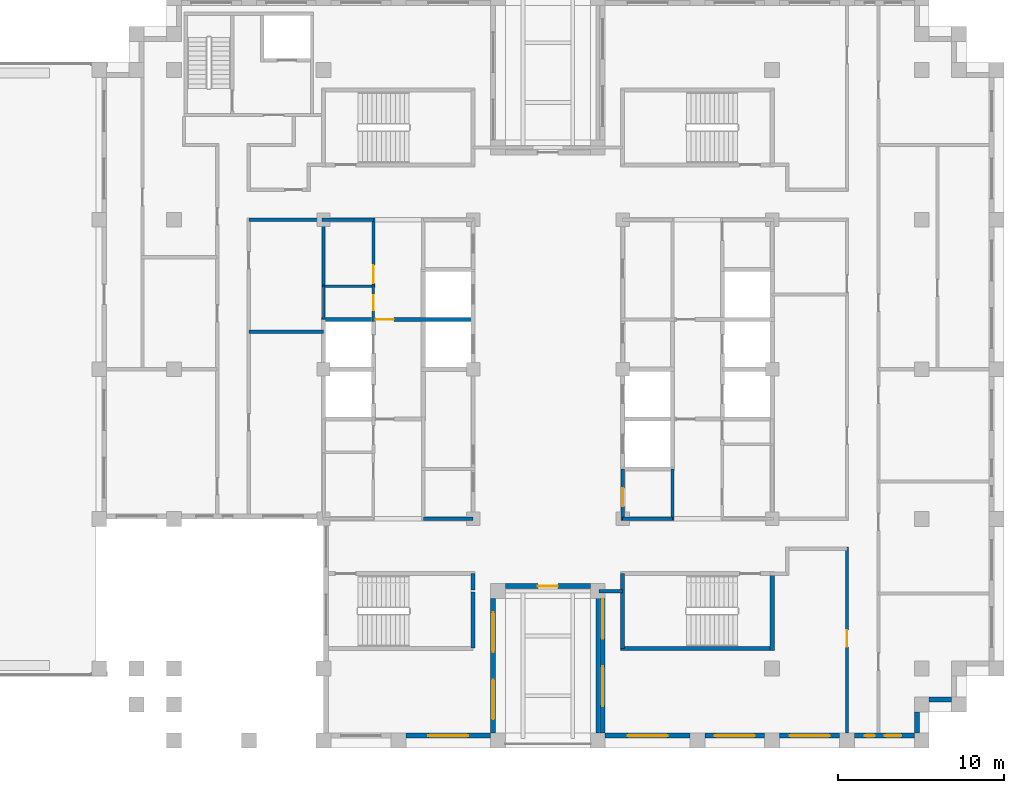
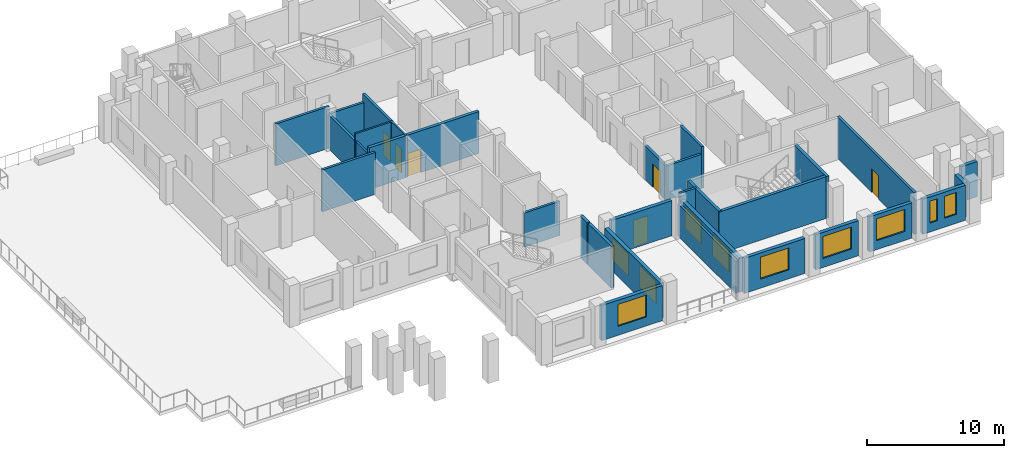
# One storey, part 3 of 10: 31 walls, 10 windows, 6 doors, 16 openings.
"""IFC4 building model written with IfcOpenShell, lengths in metres."""

import ifcopenshell
import ifcopenshell.guid

model = None  # the IFC model being written
_history = None  # IfcOwnerHistory: only IFC2X3 demands one
_inside = {}  # id of a spatial element -> (the spatial element, [elements in it])
_under = {}  # id of a project, library or spatial element -> (it, [spatial elements below it])
_declared = {}  # id of a project -> (the project, [libraries it declares])
_typed = {}  # id of a type object -> (the type object, [elements of that type])
_made_of = {}  # id of a material, layer set ... -> (it, [elements and type objects made of it])


def new_model(schema):
    """Start an empty IFC model of exactly this schema.

    Asked for "IFC4X3", IfcOpenShell would pick the latest addendum, in which some entities
    have other attributes; the version numbers below select the first issue.
    IFC2X3 requires an IfcOwnerHistory on every rooted entity: one is made here for all.
    """
    global model, _history
    if schema == "IFC4X3":
        model = ifcopenshell.file(schema_version=(4, 3, 0, 0))
    else:
        model = ifcopenshell.file(schema=schema)
    _inside.clear()
    _under.clear()
    _declared.clear()
    _typed.clear()
    _made_of.clear()
    _history = None
    if model.schema == "IFC2X3":
        org = make("IfcOrganization", Name="unknown")
        user = make(
            "IfcPersonAndOrganization",
            ThePerson=make("IfcPerson", FamilyName="unknown"),
            TheOrganization=org,
        )
        app = make(
            "IfcApplication",
            ApplicationDeveloper=org,
            Version="unknown",
            ApplicationFullName="unknown",
            ApplicationIdentifier="unknown",
        )
        _history = make(
            "IfcOwnerHistory",
            OwningUser=user,
            OwningApplication=app,
            ChangeAction="ADDED",
            CreationDate=0,
        )
    return model


def make(cls, **values):
    """One entity of the class cls with the attributes given. An attribute that is None is left unset."""
    return model.create_entity(
        cls, **{name: value for name, value in values.items() if value is not None}
    )


def rooted(cls, **values):
    """An entity with a GlobalId (a new one), such as an element, a storey or a relation."""
    return make(cls, GlobalId=ifcopenshell.guid.new(), OwnerHistory=_history, **values)


def si_unit(unit_type, name, prefix=None):
    """IfcSIUnit, for example si_unit("LENGTHUNIT", "METRE", prefix="MILLI")."""
    return make("IfcSIUnit", UnitType=unit_type, Prefix=prefix, Name=name)


def assignment(units):
    """IfcUnitAssignment: the units of a project."""
    return None if units is None else make("IfcUnitAssignment", Units=units)


def point(xyz):
    """IfcCartesianPoint."""
    return None if xyz is None else make("IfcCartesianPoint", Coordinates=xyz)


def direction(xyz):
    """IfcDirection."""
    return None if xyz is None else make("IfcDirection", DirectionRatios=xyz)


def frame(location, z_axis=None, x_axis=None):
    """IfcAxis2Placement3D, a coordinate frame: its origin and axes. An axis left out is left unset."""
    return make(
        "IfcAxis2Placement3D",
        Location=point(location),
        Axis=direction(z_axis),
        RefDirection=direction(x_axis),
    )


def frame_2d(location, x_axis=None):
    """IfcAxis2Placement2D, a coordinate frame in the plane: its origin and x axis."""
    return make(
        "IfcAxis2Placement2D", Location=point(location), RefDirection=direction(x_axis)
    )


def origin():
    """The frame at (0, 0, 0) with its axes left unset."""
    return frame((0.0, 0.0, 0.0))


def place(relative_to, where):
    """IfcLocalPlacement: puts the frame where relative to a parent placement (None: the world)."""
    return make(
        "IfcLocalPlacement", PlacementRelTo=relative_to, RelativePlacement=where
    )


def context(
    kind, dimensions, precision=None, world=None, true_north=None, identifier=None
):
    """IfcGeometricRepresentationContext, for example the 3D "Model" context."""
    return make(
        "IfcGeometricRepresentationContext",
        ContextIdentifier=identifier,
        ContextType=kind,
        CoordinateSpaceDimension=dimensions,
        Precision=precision,
        WorldCoordinateSystem=world,
        TrueNorth=true_north,
    )


def subcontext(parent, identifier, kind, view, scale=None):
    """IfcGeometricRepresentationSubContext, for example "Body" below "Model"."""
    return make(
        "IfcGeometricRepresentationSubContext",
        ContextIdentifier=identifier,
        ContextType=kind,
        ParentContext=parent,
        TargetScale=scale,
        TargetView=view,
    )


def project(units=None, contexts=None):
    """IfcProject with its units and contexts."""
    return rooted(
        "IfcProject",
        Name="project",
        RepresentationContexts=contexts,
        UnitsInContext=assignment(units),
    )


def spatial(cls, under=None, at=None, **own):
    """A site, building, storey or space (cls), placed at a placement, below another one or the project."""
    s = rooted(cls, ObjectPlacement=at, **own)
    if under is not None:
        _under.setdefault(under.id(), (under, []))[1].append(s)
    return s


def profile(cls, at=None, kind="AREA", **sizes):
    """A parametric profile (cls). Its sizes go by their IFC names, for example OverallWidth=200.0."""
    return make(cls, ProfileType=kind, Position=at, **sizes)


def rectangle(**sizes):
    """IfcRectangleProfileDef."""
    return profile("IfcRectangleProfileDef", **sizes)


def extrude(swept, where, along, depth):
    """IfcExtrudedAreaSolid: the profile swept, set in the frame where, extruded along a direction by depth."""
    return make(
        "IfcExtrudedAreaSolid",
        SweptArea=swept,
        Position=where,
        ExtrudedDirection=direction(along),
        Depth=depth,
    )


def shape(context_of_items, identifier, shape_type, items):
    """IfcShapeRepresentation: the items that make up one representation, for example the "Body"."""
    return make(
        "IfcShapeRepresentation",
        ContextOfItems=context_of_items,
        RepresentationIdentifier=identifier,
        RepresentationType=shape_type,
        Items=items,
    )


def material(Name=None, Category=None):
    """IfcMaterial."""
    return make("IfcMaterial", Name=Name, Category=Category)


def layer(
    of_material, thickness, ventilated=None, Name=None, Category=None, Priority=None
):
    """IfcMaterialLayer: one layer of a wall or slab, of a material (None: an air gap)."""
    return make(
        "IfcMaterialLayer",
        Material=of_material,
        LayerThickness=thickness,
        IsVentilated=ventilated,
        Name=Name,
        Category=Category,
        Priority=Priority,
    )


def layer_set(layers, Name=None):
    """IfcMaterialLayerSet."""
    return make("IfcMaterialLayerSet", MaterialLayers=layers, LayerSetName=Name)


def made_of(thing, what):
    """Note that an element or type object is made of a material, layer set ...; save() writes the relation."""
    if what is not None:
        _made_of.setdefault(what.id(), (what, []))[1].append(thing)
    return thing


def type_object(cls, material=None, **own):
    """A type object (cls), such as IfcWallType, which elements share."""
    return made_of(rooted(cls, **own), material)


def element(
    cls,
    number,
    at=None,
    inside=None,
    cuts=None,
    type_object=None,
    material=None,
    context=None,
    identifier="Body",
    shape_type=None,
    held_by="IfcProductDefinitionShape",
    body=None,
    shapes=None,
    **own,
):
    """One element of the class cls, such as IfcWall. Its Tag is "e" and its number.

    at: its placement. inside: the storey or other place that contains it. cuts: it is an
    opening in that element (IfcRelVoidsElement). A single representation is given by context,
    identifier, shape_type and body (its items); several are given by shapes. held_by: the class
    of the entity that holds the representations. save() writes the other relations.
    """
    e = rooted(cls, Tag="e%d" % number, ObjectPlacement=at, **own)
    if body is not None:
        shapes = [shape(context, identifier, shape_type, body)]
    if shapes is not None:
        e.Representation = make(held_by, Representations=shapes)
    if inside is not None:
        _inside.setdefault(inside.id(), (inside, []))[1].append(e)
    if cuts is not None:
        rooted(
            "IfcRelVoidsElement", RelatingBuildingElement=cuts, RelatedOpeningElement=e
        )
    if type_object is not None:
        _typed.setdefault(type_object.id(), (type_object, []))[1].append(e)
    return made_of(e, material)


def fill(opening, filler):
    """IfcRelFillsElement: the door or window that sits in an opening."""
    return rooted(
        "IfcRelFillsElement",
        RelatingOpeningElement=opening,
        RelatedBuildingElement=filler,
    )


def aggregate(whole, parts):
    """IfcRelAggregates: a whole, such as a stair, and the parts it consists of."""
    return rooted("IfcRelAggregates", RelatingObject=whole, RelatedObjects=parts)


def save(model, path):
    """Write the relations noted so far, then the file.

    IfcRelAggregates (storeys below a building ...), IfcRelContainedInSpatialStructure (elements
    in a storey), IfcRelDefinesByType, IfcRelAssociatesMaterial and IfcRelDeclares: one each for
    every whole, place, type object, material and project.
    """
    for whole, parts in _under.values():
        aggregate(whole, parts)
    for where, things in _inside.values():
        rooted(
            "IfcRelContainedInSpatialStructure",
            RelatedElements=things,
            RelatingStructure=where,
        )
    for kind, things in _typed.values():
        rooted("IfcRelDefinesByType", RelatedObjects=things, RelatingType=kind)
    for what, things in _made_of.values():
        rooted("IfcRelAssociatesMaterial", RelatedObjects=things, RelatingMaterial=what)
    for by, libraries in _declared.values():
        rooted("IfcRelDeclares", RelatingContext=by, RelatedDefinitions=libraries)
    model.write(path)


model = new_model("IFC4")

# Units and contexts
model_context = context("Model", 3, precision=1e-05, world=origin(), true_north=direction((0.0, 1.0)))
body_context = subcontext(model_context, "Body", "Model", "MODEL_VIEW")
ifc_project = project(units=[si_unit("LENGTHUNIT", "METRE"), si_unit("AREAUNIT", "SQUARE_METRE"), si_unit("VOLUMEUNIT", "CUBIC_METRE"), si_unit("PLANEANGLEUNIT", "RADIAN"), si_unit("MASSUNIT", "GRAM", prefix="KILO")], contexts=[model_context])

# Site, building, storey
site_placement = place(None, origin())
site = spatial("IfcSite", under=ifc_project, at=site_placement, CompositionType="ELEMENT")
building_placement = place(site_placement, origin())
building = spatial("IfcBuilding", under=site, at=building_placement, Name="Corbelhall Arena Tower", CompositionType="ELEMENT")
storey_placement = place(building_placement, frame((0.0, 0.0, 242.0)))
storey = spatial("IfcBuildingStorey", under=building, at=storey_placement, Name="L51", CompositionType="ELEMENT", Elevation=242.0)

# Wall, opening, window
ifc_material_1 = material(Name="Precast concrete C40/50 with granite facing", Category="masonry")
ifc_layer_1 = layer(ifc_material_1, 0.300048828125)
ifc_layer_set_1 = layer_set([ifc_layer_1], Name="EV-IW1 Infill panel 300")
wall_type_1 = type_object("IfcWallType", Name="EV-IW1 Infill panel 300", PredefinedType="SOLIDWALL", material=ifc_layer_set_1)
wall_1_placement = place(storey_placement, frame((-8.550048828125, -22.050048828125, 0.0), z_axis=(0.0, 0.0, 1.0), x_axis=(1.0, 0.0, 0.0)))
wall_1 = element("IfcWall", 1, at=wall_1_placement, inside=storey, type_object=wall_type_1, Name="Infill panel IW1", PredefinedType="SOLIDWALL", context=body_context, shape_type="SweptSolid", body=[
    extrude(rectangle(XDim=5.10009765625, YDim=0.300048828125, at=frame_2d((2.550048828125, 0.0))), origin(), (0.0, 0.0, 1.0), 3.1201171875),
])
opening_1_placement = place(wall_1_placement, frame((1.35009765625, 0.0, 0.800048828125)))
opening_1 = element("IfcOpeningElement", 2, at=opening_1_placement, cuts=wall_1, Name="Opening WN1", PredefinedType="OPENING", context=body_context, shape_type="SweptSolid", body=[
    extrude(rectangle(XDim=2.39990234375, YDim=1.949951171875, at=frame_2d((1.199951171875, 0.97509765625))), frame((0.0, 0.14990234375, 0.0), z_axis=(0.0, -1.0, 0.0), x_axis=(1.0, 0.0, 0.0)), (0.0, 0.0, 1.0), 0.300048828125),
])
ifc_material_2 = material(Name="Aluminium black anodised", Category="aluminium")
window_type_1 = type_object("IfcWindowType", Name="EV-WN1 Office window", PartitioningType="SINGLE_PANEL", PredefinedType="WINDOW", material=ifc_material_2)
window_1_placement = place(opening_1_placement, origin())
window_1 = element("IfcWindow", 3, at=window_1_placement, inside=storey, type_object=window_type_1, Name="Window WN1", OverallHeight=1.949951171875, OverallWidth=2.39990234375, PartitioningType="SINGLE_PANEL", PredefinedType="WINDOW", context=body_context, shape_type="SweptSolid", body=[
    extrude(rectangle(XDim=2.39990234375, YDim=1.949951171875, at=frame_2d((1.199951171875, 0.97509765625))), frame((0.0, 0.030029296875, 0.0), z_axis=(0.0, -1.0, 0.0), x_axis=(1.0, 0.0, 0.0)), (0.0, 0.0, 1.0), 0.06005859375),
])
fill(opening_1, window_1)

# Wall, openings, windows
wall_2_placement = place(storey_placement, frame((-3.300048828125, -21.89990234375, 0.0), z_axis=(0.0, 0.0, 1.0), x_axis=(0.0, 1.0, 0.0)))
wall_2 = element("IfcWall", 4, at=wall_2_placement, inside=storey, type_object=wall_type_1, Name="Infill panel IW1", PredefinedType="SOLIDWALL", context=body_context, shape_type="SweptSolid", body=[
    extrude(rectangle(XDim=8.099853515625, YDim=0.300048828125, at=frame_2d((4.0498046875, 0.0))), origin(), (0.0, 0.0, 1.0), 3.1201171875),
])
opening_2_placement = place(wall_2_placement, frame((0.824951171875, 0.0, 0.800048828125)))
opening_2 = element("IfcOpeningElement", 5, at=opening_2_placement, cuts=wall_2, Name="Opening WN1", PredefinedType="OPENING", context=body_context, shape_type="SweptSolid", body=[
    extrude(rectangle(XDim=2.39990234375, YDim=1.949951171875, at=frame_2d((1.199951171875, 0.97509765625))), frame((0.0, 0.14990234375, 0.0), z_axis=(0.0, -1.0, 0.0), x_axis=(1.0, 0.0, 0.0)), (0.0, 0.0, 1.0), 0.300048828125),
])
opening_3_placement = place(wall_2_placement, frame((4.875, 0.0, 0.800048828125)))
opening_3 = element("IfcOpeningElement", 6, at=opening_3_placement, cuts=wall_2, Name="Opening WN1", PredefinedType="OPENING", context=body_context, shape_type="SweptSolid", body=[
    extrude(rectangle(XDim=2.39990234375, YDim=1.949951171875, at=frame_2d((1.199951171875, 0.97509765625))), frame((0.0, 0.14990234375, 0.0), z_axis=(0.0, -1.0, 0.0), x_axis=(1.0, 0.0, 0.0)), (0.0, 0.0, 1.0), 0.300048828125),
])
window_2_placement = place(opening_2_placement, origin())
window_2 = element("IfcWindow", 7, at=window_2_placement, inside=storey, type_object=window_type_1, Name="Window WN1", OverallHeight=1.949951171875, OverallWidth=2.39990234375, PartitioningType="SINGLE_PANEL", PredefinedType="WINDOW", context=body_context, shape_type="SweptSolid", body=[
    extrude(rectangle(XDim=2.39990234375, YDim=1.949951171875, at=frame_2d((1.199951171875, 0.97509765625))), frame((0.0, 0.030029296875, 0.0), z_axis=(0.0, -1.0, 0.0), x_axis=(1.0, 0.0, 0.0)), (0.0, 0.0, 1.0), 0.06005859375),
])
fill(opening_2, window_2)
window_3_placement = place(opening_3_placement, origin())
window_3 = element("IfcWindow", 8, at=window_3_placement, inside=storey, type_object=window_type_1, Name="Window WN1", OverallHeight=1.949951171875, OverallWidth=2.39990234375, PartitioningType="SINGLE_PANEL", PredefinedType="WINDOW", context=body_context, shape_type="SweptSolid", body=[
    extrude(rectangle(XDim=2.39990234375, YDim=1.949951171875, at=frame_2d((1.199951171875, 0.97509765625))), frame((0.0, 0.030029296875, 0.0), z_axis=(0.0, -1.0, 0.0), x_axis=(1.0, 0.0, 0.0)), (0.0, 0.0, 1.0), 0.06005859375),
])
fill(opening_3, window_3)

# Wall, opening, door
wall_3_placement = place(storey_placement, frame((2.550048828125, -13.050048828125, 0.0), z_axis=(0.0, 0.0, 1.0), x_axis=(-1.0, 0.0, 0.0)))
wall_3 = element("IfcWall", 9, at=wall_3_placement, inside=storey, type_object=wall_type_1, Name="Infill panel IW1", PredefinedType="SOLIDWALL", context=body_context, shape_type="SweptSolid", body=[
    extrude(rectangle(XDim=5.10009765625, YDim=0.300048828125, at=frame_2d((2.550048828125, 0.0))), origin(), (0.0, 0.0, 1.0), 3.1201171875),
])
opening_4_placement = place(wall_3_placement, frame((1.949951171875, 0.0, 0.0)))
opening_4 = element("IfcOpeningElement", 10, at=opening_4_placement, cuts=wall_3, Name="Opening ED1", PredefinedType="OPENING", context=body_context, shape_type="SweptSolid", body=[
    extrude(rectangle(XDim=1.199951171875, YDim=2.39990234375, at=frame_2d((0.60009765625, 1.199951171875))), frame((0.0, 0.14990234375, 0.0), z_axis=(0.0, -1.0, 0.0), x_axis=(1.0, 0.0, 0.0)), (0.0, 0.0, 1.0), 0.300048828125),
])
door_type_1 = type_object("IfcDoorType", Name="EV-ED1 Terrace door", OperationType="SINGLE_SWING_LEFT", PredefinedType="DOOR", material=ifc_material_2)
door_1_placement = place(opening_4_placement, origin())
door_1 = element("IfcDoor", 11, at=door_1_placement, inside=storey, type_object=door_type_1, Name="Terrace door", OperationType="SINGLE_SWING_LEFT", OverallHeight=2.39990234375, OverallWidth=1.199951171875, PredefinedType="DOOR", context=body_context, shape_type="SweptSolid", body=[
    extrude(rectangle(XDim=1.199951171875, YDim=2.39990234375, at=frame_2d((0.60009765625, 1.199951171875))), frame((0.0, 0.02490234375, 0.0), z_axis=(0.0, -1.0, 0.0), x_axis=(1.0, 0.0, 0.0)), (0.0, 0.0, 1.0), 0.050048828125),
])
fill(opening_4, door_1)

# Wall, openings, windows
wall_4_placement = place(storey_placement, frame((3.300048828125, -13.39990234375, 0.0), z_axis=(0.0, 0.0, 1.0), x_axis=(0.0, -1.0, 0.0)))
wall_4 = element("IfcWall", 12, at=wall_4_placement, inside=storey, type_object=wall_type_1, Name="Infill panel IW1", PredefinedType="SOLIDWALL", context=body_context, shape_type="SweptSolid", body=[
    extrude(rectangle(XDim=8.5, YDim=0.300048828125, at=frame_2d((4.25, 0.0))), origin(), (0.0, 0.0, 1.0), 3.1201171875),
])
opening_5_placement = place(wall_4_placement, frame((0.425048828125, 0.0, 0.800048828125)))
opening_5 = element("IfcOpeningElement", 13, at=opening_5_placement, cuts=wall_4, Name="Opening WN1", PredefinedType="OPENING", context=body_context, shape_type="SweptSolid", body=[
    extrude(rectangle(XDim=2.39990234375, YDim=1.949951171875, at=frame_2d((1.199951171875, 0.97509765625))), frame((0.0, 0.14990234375, 0.0), z_axis=(0.0, -1.0, 0.0), x_axis=(1.0, 0.0, 0.0)), (0.0, 0.0, 1.0), 0.300048828125),
])
opening_6_placement = place(wall_4_placement, frame((4.47509765625, 0.0, 0.800048828125)))
opening_6 = element("IfcOpeningElement", 14, at=opening_6_placement, cuts=wall_4, Name="Opening WN1", PredefinedType="OPENING", context=body_context, shape_type="SweptSolid", body=[
    extrude(rectangle(XDim=2.39990234375, YDim=1.949951171875, at=frame_2d((1.199951171875, 0.97509765625))), frame((0.0, 0.14990234375, 0.0), z_axis=(0.0, -1.0, 0.0), x_axis=(1.0, 0.0, 0.0)), (0.0, 0.0, 1.0), 0.300048828125),
])
window_4_placement = place(opening_5_placement, origin())
window_4 = element("IfcWindow", 15, at=window_4_placement, inside=storey, type_object=window_type_1, Name="Window WN1", OverallHeight=1.949951171875, OverallWidth=2.39990234375, PartitioningType="SINGLE_PANEL", PredefinedType="WINDOW", context=body_context, shape_type="SweptSolid", body=[
    extrude(rectangle(XDim=2.39990234375, YDim=1.949951171875, at=frame_2d((1.199951171875, 0.97509765625))), frame((0.0, 0.030029296875, 0.0), z_axis=(0.0, -1.0, 0.0), x_axis=(1.0, 0.0, 0.0)), (0.0, 0.0, 1.0), 0.06005859375),
])
fill(opening_5, window_4)
window_5_placement = place(opening_6_placement, origin())
window_5 = element("IfcWindow", 16, at=window_5_placement, inside=storey, type_object=window_type_1, Name="Window WN1", OverallHeight=1.949951171875, OverallWidth=2.39990234375, PartitioningType="SINGLE_PANEL", PredefinedType="WINDOW", context=body_context, shape_type="SweptSolid", body=[
    extrude(rectangle(XDim=2.39990234375, YDim=1.949951171875, at=frame_2d((1.199951171875, 0.97509765625))), frame((0.0, 0.030029296875, 0.0), z_axis=(0.0, -1.0, 0.0), x_axis=(1.0, 0.0, 0.0)), (0.0, 0.0, 1.0), 0.06005859375),
])
fill(opening_6, window_5)

# Wall, opening, window
wall_5_placement = place(storey_placement, frame((3.449951171875, -22.050048828125, 0.0), z_axis=(0.0, 0.0, 1.0), x_axis=(1.0, 0.0, 0.0)))
wall_5 = element("IfcWall", 17, at=wall_5_placement, inside=storey, type_object=wall_type_1, Name="Infill panel IW1", PredefinedType="SOLIDWALL", context=body_context, shape_type="SweptSolid", body=[
    extrude(rectangle(XDim=5.10009765625, YDim=0.300048828125, at=frame_2d((2.550048828125, 0.0))), origin(), (0.0, 0.0, 1.0), 3.1201171875),
])
opening_7_placement = place(wall_5_placement, frame((1.35009765625, 0.0, 0.800048828125)))
opening_7 = element("IfcOpeningElement", 18, at=opening_7_placement, cuts=wall_5, Name="Opening WN1", PredefinedType="OPENING", context=body_context, shape_type="SweptSolid", body=[
    extrude(rectangle(XDim=2.39990234375, YDim=1.949951171875, at=frame_2d((1.199951171875, 0.97509765625))), frame((0.0, 0.14990234375, 0.0), z_axis=(0.0, -1.0, 0.0), x_axis=(1.0, 0.0, 0.0)), (0.0, 0.0, 1.0), 0.300048828125),
])
window_6_placement = place(opening_7_placement, origin())
window_6 = element("IfcWindow", 19, at=window_6_placement, inside=storey, type_object=window_type_1, Name="Window WN1", OverallHeight=1.949951171875, OverallWidth=2.39990234375, PartitioningType="SINGLE_PANEL", PredefinedType="WINDOW", context=body_context, shape_type="SweptSolid", body=[
    extrude(rectangle(XDim=2.39990234375, YDim=1.949951171875, at=frame_2d((1.199951171875, 0.97509765625))), frame((0.0, 0.030029296875, 0.0), z_axis=(0.0, -1.0, 0.0), x_axis=(1.0, 0.0, 0.0)), (0.0, 0.0, 1.0), 0.06005859375),
])
fill(opening_7, window_6)

wall_6_placement = place(storey_placement, frame((9.449951171875, -22.050048828125, 0.0), z_axis=(0.0, 0.0, 1.0), x_axis=(1.0, 0.0, 0.0)))
wall_6 = element("IfcWall", 20, at=wall_6_placement, inside=storey, type_object=wall_type_1, Name="Infill panel IW1", PredefinedType="SOLIDWALL", context=body_context, shape_type="SweptSolid", body=[
    extrude(rectangle(XDim=3.60009765625, YDim=0.300048828125, at=frame_2d((1.800048828125, 0.0))), origin(), (0.0, 0.0, 1.0), 3.1201171875),
])
opening_8_placement = place(wall_6_placement, frame((0.60009765625, 0.0, 0.800048828125)))
opening_8 = element("IfcOpeningElement", 21, at=opening_8_placement, cuts=wall_6, Name="Opening WN1", PredefinedType="OPENING", context=body_context, shape_type="SweptSolid", body=[
    extrude(rectangle(XDim=2.39990234375, YDim=1.949951171875, at=frame_2d((1.199951171875, 0.97509765625))), frame((0.0, 0.14990234375, 0.0), z_axis=(0.0, -1.0, 0.0), x_axis=(1.0, 0.0, 0.0)), (0.0, 0.0, 1.0), 0.300048828125),
])
window_7_placement = place(opening_8_placement, origin())
window_7 = element("IfcWindow", 22, at=window_7_placement, inside=storey, type_object=window_type_1, Name="Window WN1", OverallHeight=1.949951171875, OverallWidth=2.39990234375, PartitioningType="SINGLE_PANEL", PredefinedType="WINDOW", context=body_context, shape_type="SweptSolid", body=[
    extrude(rectangle(XDim=2.39990234375, YDim=1.949951171875, at=frame_2d((1.199951171875, 0.97509765625))), frame((0.0, 0.030029296875, 0.0), z_axis=(0.0, -1.0, 0.0), x_axis=(1.0, 0.0, 0.0)), (0.0, 0.0, 1.0), 0.06005859375),
])
fill(opening_8, window_7)

wall_7_placement = place(storey_placement, frame((13.949951171875, -22.050048828125, 0.0), z_axis=(0.0, 0.0, 1.0), x_axis=(1.0, 0.0, 0.0)))
wall_7 = element("IfcWall", 23, at=wall_7_placement, inside=storey, type_object=wall_type_1, Name="Infill panel IW1", PredefinedType="SOLIDWALL", context=body_context, shape_type="SweptSolid", body=[
    extrude(rectangle(XDim=3.60009765625, YDim=0.300048828125, at=frame_2d((1.800048828125, 0.0))), origin(), (0.0, 0.0, 1.0), 3.1201171875),
])
opening_9_placement = place(wall_7_placement, frame((0.60009765625, 0.0, 0.800048828125)))
opening_9 = element("IfcOpeningElement", 24, at=opening_9_placement, cuts=wall_7, Name="Opening WN1", PredefinedType="OPENING", context=body_context, shape_type="SweptSolid", body=[
    extrude(rectangle(XDim=2.39990234375, YDim=1.949951171875, at=frame_2d((1.199951171875, 0.97509765625))), frame((0.0, 0.14990234375, 0.0), z_axis=(0.0, -1.0, 0.0), x_axis=(1.0, 0.0, 0.0)), (0.0, 0.0, 1.0), 0.300048828125),
])
window_8_placement = place(opening_9_placement, origin())
window_8 = element("IfcWindow", 25, at=window_8_placement, inside=storey, type_object=window_type_1, Name="Window WN1", OverallHeight=1.949951171875, OverallWidth=2.39990234375, PartitioningType="SINGLE_PANEL", PredefinedType="WINDOW", context=body_context, shape_type="SweptSolid", body=[
    extrude(rectangle(XDim=2.39990234375, YDim=1.949951171875, at=frame_2d((1.199951171875, 0.97509765625))), frame((0.0, 0.030029296875, 0.0), z_axis=(0.0, -1.0, 0.0), x_axis=(1.0, 0.0, 0.0)), (0.0, 0.0, 1.0), 0.06005859375),
])
fill(opening_9, window_8)

# Wall, openings, windows
wall_8_placement = place(storey_placement, frame((18.449951171875, -22.050048828125, 0.0), z_axis=(0.0, 0.0, 1.0), x_axis=(1.0, 0.0, 0.0)))
wall_8 = element("IfcWall", 26, at=wall_8_placement, inside=storey, type_object=wall_type_1, Name="Infill panel IW1", PredefinedType="SOLIDWALL", context=body_context, shape_type="SweptSolid", body=[
    extrude(rectangle(XDim=3.60009765625, YDim=0.300048828125, at=frame_2d((1.800048828125, 0.0))), origin(), (0.0, 0.0, 1.0), 3.1201171875),
])
opening_10_placement = place(wall_8_placement, frame((0.625, 0.0, 0.800048828125)))
opening_10 = element("IfcOpeningElement", 27, at=opening_10_placement, cuts=wall_8, Name="Opening WN5", PredefinedType="OPENING", context=body_context, shape_type="SweptSolid", body=[
    extrude(rectangle(XDim=0.60009765625, YDim=1.949951171875, at=frame_2d((0.300048828125, 0.97509765625))), frame((0.0, 0.14990234375, 0.0), z_axis=(0.0, -1.0, 0.0), x_axis=(1.0, 0.0, 0.0)), (0.0, 0.0, 1.0), 0.300048828125),
])
opening_11_placement = place(wall_8_placement, frame((1.824951171875, 0.0, 0.800048828125)))
opening_11 = element("IfcOpeningElement", 28, at=opening_11_placement, cuts=wall_8, Name="Opening WN6", PredefinedType="OPENING", context=body_context, shape_type="SweptSolid", body=[
    extrude(rectangle(XDim=1.0, YDim=1.949951171875, at=frame_2d((0.5, 0.97509765625))), frame((0.0, 0.14990234375, 0.0), z_axis=(0.0, -1.0, 0.0), x_axis=(1.0, 0.0, 0.0)), (0.0, 0.0, 1.0), 0.300048828125),
])
window_type_2 = type_object("IfcWindowType", Name="EV-WN5 Office window 600", PartitioningType="SINGLE_PANEL", PredefinedType="WINDOW", material=ifc_material_2)
window_9_placement = place(opening_10_placement, origin())
window_9 = element("IfcWindow", 29, at=window_9_placement, inside=storey, type_object=window_type_2, Name="Window WN5", OverallHeight=1.949951171875, OverallWidth=0.60009765625, PartitioningType="SINGLE_PANEL", PredefinedType="WINDOW", context=body_context, shape_type="SweptSolid", body=[
    extrude(rectangle(XDim=0.60009765625, YDim=1.949951171875, at=frame_2d((0.300048828125, 0.97509765625))), frame((0.0, 0.030029296875, 0.0), z_axis=(0.0, -1.0, 0.0), x_axis=(1.0, 0.0, 0.0)), (0.0, 0.0, 1.0), 0.06005859375),
])
fill(opening_10, window_9)
window_type_3 = type_object("IfcWindowType", Name="EV-WN6 Office window 1000", PartitioningType="SINGLE_PANEL", PredefinedType="WINDOW", material=ifc_material_2)
window_10_placement = place(opening_11_placement, origin())
window_10 = element("IfcWindow", 30, at=window_10_placement, inside=storey, type_object=window_type_3, Name="Window WN6", OverallHeight=1.949951171875, OverallWidth=1.0, PartitioningType="SINGLE_PANEL", PredefinedType="WINDOW", context=body_context, shape_type="SweptSolid", body=[
    extrude(rectangle(XDim=1.0, YDim=1.949951171875, at=frame_2d((0.5, 0.97509765625))), frame((0.0, 0.030029296875, 0.0), z_axis=(0.0, -1.0, 0.0), x_axis=(1.0, 0.0, 0.0)), (0.0, 0.0, 1.0), 0.06005859375),
])
fill(opening_11, window_10)

# Walls
wall_9_placement = place(storey_placement, frame((22.199951171875, -21.89990234375, 0.0), z_axis=(0.0, 0.0, 1.0), x_axis=(0.0, 1.0, 0.0)))
element("IfcWall", 31, at=wall_9_placement, inside=storey, type_object=wall_type_1, Name="Infill panel IW1", PredefinedType="SOLIDWALL", context=body_context, shape_type="SweptSolid", body=[
    extrude(rectangle(XDim=1.27490234375, YDim=0.300048828125, at=frame_2d((0.637451171875, 0.0))), origin(), (0.0, 0.0, 1.0), 3.1201171875),
])
wall_10_placement = place(storey_placement, frame((22.949951171875, -19.875, 0.0), z_axis=(0.0, 0.0, 1.0), x_axis=(1.0, 0.0, 0.0)))
element("IfcWall", 32, at=wall_10_placement, inside=storey, type_object=wall_type_1, Name="Infill panel IW1", PredefinedType="SOLIDWALL", context=body_context, shape_type="SweptSolid", body=[
    extrude(rectangle(XDim=1.35009765625, YDim=0.300048828125, at=frame_2d((0.675048828125, 0.0))), origin(), (0.0, 0.0, 1.0), 3.1201171875),
])
ifc_material_3 = material(Name="Gypsum board on steel stud, acoustic", Category="steel")
ifc_layer_2 = layer(ifc_material_3, 0.199951171875)
ifc_layer_set_2 = layer_set([ifc_layer_2], Name="IN-W-DM200")
wall_type_2 = type_object("IfcWallType", Name="IN-W-DM200", PredefinedType="PARTITIONING", material=ifc_layer_set_2)
for number, where, z_axis, x_axis, name in (
    (33, (-18.0, 2.25, 0.0), (0.0, 0.0, 1.0), (1.0, 0.0, 0.0), "Partition 007"),
    (34, (-13.5, 9.0, 0.0), (0.0, 0.0, 1.0), (-1.0, 0.0, 0.0), "Partition 014"),
):
    element("IfcWall", number, at=place(storey_placement, frame(where, z_axis=z_axis, x_axis=x_axis)), inside=storey, type_object=wall_type_2, Name=name, PredefinedType="PARTITIONING", context=body_context, shape_type="SweptSolid", body=[
        extrude(rectangle(XDim=4.5, YDim=0.199951171875, at=frame_2d((2.25, 0.0))), origin(), (0.0, 0.0, 1.0), 3.719970703125),
    ])
wall_11_placement = place(storey_placement, frame((4.49951171875, -13.35009765625, 0.0), z_axis=(0.0, 0.0, 1.0), x_axis=(-1.0, 0.0, 0.0)))
element("IfcWall", 35, at=wall_11_placement, inside=storey, type_object=wall_type_2, Name="Partition 020", PredefinedType="PARTITIONING", context=body_context, shape_type="SweptSolid", body=[
    extrude(rectangle(XDim=1.429443359375, YDim=0.199951171875, at=frame_2d((0.71484375, 0.0))), origin(), (0.0, 0.0, 1.0), 3.719970703125),
])

# Wall, opening, door
wall_12_placement = place(storey_placement, frame((18.0, -21.89990234375, 0.0), z_axis=(0.0, 0.0, 1.0), x_axis=(0.0, 1.0, 0.0)))
wall_12 = element("IfcWall", 36, at=wall_12_placement, inside=storey, type_object=wall_type_2, Name="Partition 029", PredefinedType="PARTITIONING", context=body_context, shape_type="SweptSolid", body=[
    extrude(rectangle(XDim=11.199951171875, YDim=0.199951171875, at=frame_2d((5.60009765625, 0.0))), origin(), (0.0, 0.0, 1.0), 3.719970703125),
])
opening_12_placement = place(wall_12_placement, frame((5.199951171875, 0.0, 0.0)))
opening_12 = element("IfcOpeningElement", 37, at=opening_12_placement, cuts=wall_12, Name="Opening 16027", PredefinedType="OPENING", context=body_context, shape_type="SweptSolid", body=[
    extrude(rectangle(XDim=1.0, YDim=2.10009765625, at=frame_2d((0.5, 1.050048828125))), frame((0.0, 0.10009765625, 0.0), z_axis=(0.0, -1.0, 0.0), x_axis=(1.0, 0.0, 0.0)), (0.0, 0.0, 1.0), 0.199951171875),
])
ifc_material_4 = material(Name="Steel door set", Category="steel")
door_type_2 = type_object("IfcDoorType", Name="IN-D-SW100", OperationType="NOTDEFINED", PredefinedType="DOOR", material=ifc_material_4)
door_2_placement = place(opening_12_placement, origin())
door_2 = element("IfcDoor", 38, at=door_2_placement, inside=storey, type_object=door_type_2, Name="Door 027", OperationType="SINGLE_SWING_RIGHT", OverallHeight=2.10009765625, OverallWidth=1.0, PredefinedType="DOOR", context=body_context, shape_type="SweptSolid", body=[
    extrude(rectangle(XDim=1.0, YDim=2.10009765625, at=frame_2d((0.5, 1.050048828125))), frame((0.0, 0.02490234375, 0.0), z_axis=(0.0, -1.0, 0.0), x_axis=(1.0, 0.0, 0.0)), (0.0, 0.0, 1.0), 0.050048828125),
])
fill(opening_12, door_2)

# Wall
ifc_layer_3 = layer(ifc_material_3, 0.199951171875)
ifc_layer_set_3 = layer_set([ifc_layer_3], Name="IN-W-DM200 under beam 846 mm")
wall_type_3 = type_object("IfcWallType", Name="IN-W-DM200 under beam 846 mm", PredefinedType="PARTITIONING", material=ifc_layer_set_3)
wall_13_placement = place(storey_placement, frame((3.0, -13.419921875, 0.0), z_axis=(0.0, 0.0, 1.0), x_axis=(0.0, -1.0, 0.0)))
element("IfcWall", 39, at=wall_13_placement, inside=storey, type_object=wall_type_3, Name="Partition 018", PredefinedType="PARTITIONING", context=body_context, shape_type="SweptSolid", body=[
    extrude(rectangle(XDim=8.4794921875, YDim=0.199951171875, at=frame_2d((4.23974609375, 0.0))), origin(), (0.0, 0.0, 1.0), 2.874267578125),
])

# Wall, opening, door
ifc_material_5 = material(Name="Concrete block wall", Category="concrete")
ifc_layer_4 = layer(ifc_material_5, 0.199951171875)
ifc_layer_set_4 = layer_set([ifc_layer_4], Name="IN-W-RS200")
wall_type_4 = type_object("IfcWallType", Name="IN-W-RS200", PredefinedType="SOLIDWALL", material=ifc_layer_set_4)
wall_14_placement = place(storey_placement, frame((-10.5, 4.925048828125, 0.0), z_axis=(0.0, 0.0, 1.0), x_axis=(0.0, 1.0, 0.0)))
wall_14 = element("IfcWall", 40, at=wall_14_placement, inside=storey, type_object=wall_type_4, Name="Partition 043", PredefinedType="SOLIDWALL", context=body_context, shape_type="SweptSolid", body=[
    extrude(rectangle(XDim=4.175048828125, YDim=0.199951171875, at=frame_2d((2.08740234375, 0.0))), origin(), (0.0, 0.0, 1.0), 3.719970703125),
])
opening_13_placement = place(wall_14_placement, frame((0.25, 0.0, 0.0)))
opening_13 = element("IfcOpeningElement", 41, at=opening_13_placement, cuts=wall_14, Name="Opening 16008", PredefinedType="OPENING", context=body_context, shape_type="SweptSolid", body=[
    extrude(rectangle(XDim=1.10009765625, YDim=2.10009765625, at=frame_2d((0.550048828125, 1.050048828125))), frame((0.0, 0.10009765625, 0.0), z_axis=(0.0, -1.0, 0.0), x_axis=(1.0, 0.0, 0.0)), (0.0, 0.0, 1.0), 0.199951171875),
])
door_type_3 = type_object("IfcDoorType", Name="IN-D-FD110", OperationType="NOTDEFINED", PredefinedType="DOOR", material=ifc_material_4)
door_3_placement = place(opening_13_placement, origin())
door_3 = element("IfcDoor", 42, at=door_3_placement, inside=storey, type_object=door_type_3, Name="Door 008", OperationType="SINGLE_SWING_LEFT", OverallHeight=2.10009765625, OverallWidth=1.10009765625, PredefinedType="DOOR", context=body_context, shape_type="SweptSolid", body=[
    extrude(rectangle(XDim=1.10009765625, YDim=2.10009765625, at=frame_2d((0.550048828125, 1.050048828125))), frame((0.0, 0.02490234375, 0.0), z_axis=(0.0, -1.0, 0.0), x_axis=(1.0, 0.0, 0.0)), (0.0, 0.0, 1.0), 0.050048828125),
])
fill(opening_13, door_3)

# Walls
wall_15_placement = place(storey_placement, frame((7.5, -6.0, 0.0), z_axis=(0.0, 0.0, 1.0), x_axis=(0.0, -1.0, 0.0)))
element("IfcWall", 43, at=wall_15_placement, inside=storey, type_object=wall_type_4, Name="Partition 056", PredefinedType="SOLIDWALL", context=body_context, shape_type="SweptSolid", body=[
    extrude(rectangle(XDim=3.10009765625, YDim=0.199951171875, at=frame_2d((1.550048828125, 0.0))), origin(), (0.0, 0.0, 1.0), 3.719970703125),
])
ifc_layer_5 = layer(ifc_material_5, 0.199951171875)
ifc_layer_set_5 = layer_set([ifc_layer_5], Name="IN-W-RS200 under beam 678 mm")
wall_type_5 = type_object("IfcWallType", Name="IN-W-RS200 under beam 678 mm", PredefinedType="SOLIDWALL", material=ifc_layer_set_5)
wall_16_placement = place(storey_placement, frame((-13.60009765625, 9.0, 0.0), z_axis=(0.0, 0.0, 1.0), x_axis=(1.0, 0.0, 0.0)))
element("IfcWall", 44, at=wall_16_placement, inside=storey, type_object=wall_type_5, Name="Partition 039", PredefinedType="SOLIDWALL", context=body_context, shape_type="SweptSolid", body=[
    extrude(rectangle(XDim=3.10009765625, YDim=0.199951171875, at=frame_2d((1.550048828125, 0.0))), origin(), (0.0, 0.0, 1.0), 3.041748046875),
])
wall_17_placement = place(storey_placement, frame((-13.5, 5.0, 0.0), z_axis=(0.0, 0.0, 1.0), x_axis=(0.0, 1.0, 0.0)))
element("IfcWall", 45, at=wall_17_placement, inside=storey, type_object=wall_type_5, Name="Partition 041", PredefinedType="SOLIDWALL", context=body_context, shape_type="SweptSolid", body=[
    extrude(rectangle(XDim=4.10009765625, YDim=0.199951171875, at=frame_2d((2.050048828125, 0.0))), origin(), (0.0, 0.0, 1.0), 3.041748046875),
])
wall_18_placement = place(storey_placement, frame((-4.5, -9.0, 0.0), z_axis=(0.0, 0.0, 1.0), x_axis=(-1.0, 0.0, 0.0)))
element("IfcWall", 46, at=wall_18_placement, inside=storey, type_object=wall_type_5, Name="Partition 048", PredefinedType="SOLIDWALL", context=body_context, shape_type="SweptSolid", body=[
    extrude(rectangle(XDim=3.0, YDim=0.199951171875, at=frame_2d((1.5, 0.0))), origin(), (0.0, 0.0, 1.0), 3.041748046875),
])

# Wall, opening, door
wall_19_placement = place(storey_placement, frame((4.5, -9.10009765625, 0.0), z_axis=(0.0, 0.0, 1.0), x_axis=(0.0, 1.0, 0.0)))
wall_19 = element("IfcWall", 47, at=wall_19_placement, inside=storey, type_object=wall_type_5, Name="Partition 052", PredefinedType="SOLIDWALL", context=body_context, shape_type="SweptSolid", body=[
    extrude(rectangle(XDim=3.10009765625, YDim=0.199951171875, at=frame_2d((1.550048828125, 0.0))), origin(), (0.0, 0.0, 1.0), 3.041748046875),
])
opening_14_placement = place(wall_19_placement, frame((0.85009765625, 0.0, 0.0)))
opening_14 = element("IfcOpeningElement", 48, at=opening_14_placement, cuts=wall_19, Name="Opening 16009", PredefinedType="OPENING", context=body_context, shape_type="SweptSolid", body=[
    extrude(rectangle(XDim=1.10009765625, YDim=2.10009765625, at=frame_2d((0.550048828125, 1.050048828125))), frame((0.0, 0.10009765625, 0.0), z_axis=(0.0, -1.0, 0.0), x_axis=(1.0, 0.0, 0.0)), (0.0, 0.0, 1.0), 0.199951171875),
])
door_4_placement = place(opening_14_placement, origin())
door_4 = element("IfcDoor", 49, at=door_4_placement, inside=storey, type_object=door_type_3, Name="Door 009", OperationType="SINGLE_SWING_RIGHT", OverallHeight=2.10009765625, OverallWidth=1.10009765625, PredefinedType="DOOR", context=body_context, shape_type="SweptSolid", body=[
    extrude(rectangle(XDim=1.10009765625, YDim=2.10009765625, at=frame_2d((0.550048828125, 1.050048828125))), frame((0.0, 0.02490234375, 0.0), z_axis=(0.0, -1.0, 0.0), x_axis=(1.0, 0.0, 0.0)), (0.0, 0.0, 1.0), 0.050048828125),
])
fill(opening_14, door_4)

# Wall
wall_20_placement = place(storey_placement, frame((7.5, -9.0, 0.0), z_axis=(0.0, 0.0, 1.0), x_axis=(-1.0, 0.0, 0.0)))
element("IfcWall", 50, at=wall_20_placement, inside=storey, type_object=wall_type_5, Name="Partition 055", PredefinedType="SOLIDWALL", context=body_context, shape_type="SweptSolid", body=[
    extrude(rectangle(XDim=3.0, YDim=0.199951171875, at=frame_2d((1.5, 0.0))), origin(), (0.0, 0.0, 1.0), 3.041748046875),
])

# Wall, opening, door
ifc_material_6 = material(Name="Concrete C40/50", Category="concrete")
ifc_layer_6 = layer(ifc_material_6, 0.25)
ifc_layer_set_6 = layer_set([ifc_layer_6], Name="IN-W-SH250")
wall_type_6 = type_object("IfcWallType", Name="IN-W-SH250", PredefinedType="SOLIDWALL", material=ifc_layer_set_6)
wall_21_placement = place(storey_placement, frame((-13.625, 3.0, 0.0), z_axis=(0.0, 0.0, 1.0), x_axis=(1.0, 0.0, 0.0)))
wall_21 = element("IfcWall", 51, at=wall_21_placement, inside=storey, type_object=wall_type_6, Name="Shaft wall 064", PredefinedType="SOLIDWALL", context=body_context, shape_type="SweptSolid", body=[
    extrude(rectangle(XDim=9.25, YDim=0.25, at=frame_2d((4.625, 0.0))), origin(), (0.0, 0.0, 1.0), 3.719970703125),
])
opening_15_placement = place(wall_21_placement, frame((3.25, 0.0, 0.0)))
opening_15 = element("IfcOpeningElement", 52, at=opening_15_placement, cuts=wall_21, Name="Opening 16005", PredefinedType="OPENING", context=body_context, shape_type="SweptSolid", body=[
    extrude(rectangle(XDim=1.10009765625, YDim=2.10009765625, at=frame_2d((0.550048828125, 1.050048828125))), frame((0.0, 0.125, 0.0), z_axis=(0.0, -1.0, 0.0), x_axis=(1.0, 0.0, 0.0)), (0.0, 0.0, 1.0), 0.25),
])
door_5_placement = place(opening_15_placement, origin())
door_5 = element("IfcDoor", 53, at=door_5_placement, inside=storey, type_object=door_type_3, Name="Door 005", OperationType="SINGLE_SWING_RIGHT", OverallHeight=2.10009765625, OverallWidth=1.10009765625, PredefinedType="DOOR", context=body_context, shape_type="SweptSolid", body=[
    extrude(rectangle(XDim=1.10009765625, YDim=2.10009765625, at=frame_2d((0.550048828125, 1.050048828125))), frame((0.0, 0.02490234375, 0.0), z_axis=(0.0, -1.0, 0.0), x_axis=(1.0, 0.0, 0.0)), (0.0, 0.0, 1.0), 0.050048828125),
])
fill(opening_15, door_5)

# Walls
ifc_layer_7 = layer(ifc_material_6, 0.25)
ifc_layer_set_7 = layer_set([ifc_layer_7], Name="IN-W-ST250")
wall_type_7 = type_object("IfcWallType", Name="IN-W-ST250", PredefinedType="SOLIDWALL", material=ifc_layer_set_7)
wall_22_placement = place(storey_placement, frame((-4.5, -13.4169921875, 0.0), z_axis=(0.0, 0.0, 1.0), x_axis=(0.0, -1.0, 0.0)))
element("IfcWall", 54, at=wall_22_placement, inside=storey, type_object=wall_type_7, Name="Shaft wall 086", PredefinedType="SOLIDWALL", context=body_context, shape_type="SweptSolid", body=[
    extrude(rectangle(XDim=3.363037109375, YDim=0.25, at=frame_2d((1.681640625, 0.0))), origin(), (0.0, 0.0, 1.0), 3.719970703125),
])
wall_23_placement = place(storey_placement, frame((-4.5, -12.300048828125, 0.0), z_axis=(0.0, 0.0, 1.0), x_axis=(0.0, -1.0, 0.0)))
element("IfcWall", 55, at=wall_23_placement, inside=storey, type_object=wall_type_7, Name="Shaft wall 087", PredefinedType="SOLIDWALL", context=body_context, shape_type="SweptSolid", body=[
    extrude(rectangle(XDim=0.98291015625, YDim=0.25, at=frame_2d((0.491455078125, 0.0))), origin(), (0.0, 0.0, 1.0), 3.719970703125),
])
wall_24_placement = place(storey_placement, frame((4.5, -16.800048828125, 0.0), z_axis=(0.0, 0.0, 1.0), x_axis=(0.0, 1.0, 0.0)))
element("IfcWall", 56, at=wall_24_placement, inside=storey, type_object=wall_type_7, Name="Shaft wall 092", PredefinedType="SOLIDWALL", context=body_context, shape_type="SweptSolid", body=[
    extrude(rectangle(XDim=4.5, YDim=0.25, at=frame_2d((2.25, 0.0))), origin(), (0.0, 0.0, 1.0), 3.719970703125),
])
wall_25_placement = place(storey_placement, frame((13.5, -16.800048828125, 0.0), z_axis=(0.0, 0.0, 1.0), x_axis=(-1.0, 0.0, 0.0)))
element("IfcWall", 57, at=wall_25_placement, inside=storey, type_object=wall_type_7, Name="Shaft wall 094", PredefinedType="SOLIDWALL", context=body_context, shape_type="SweptSolid", body=[
    extrude(rectangle(XDim=9.125, YDim=0.25, at=frame_2d((4.5625, 0.0))), origin(), (0.0, 0.0, 1.0), 3.719970703125),
])
wall_26_placement = place(storey_placement, frame((13.5, -12.300048828125, 0.0), z_axis=(0.0, 0.0, 1.0), x_axis=(0.0, -1.0, 0.0)))
element("IfcWall", 58, at=wall_26_placement, inside=storey, type_object=wall_type_7, Name="Shaft wall 095", PredefinedType="SOLIDWALL", context=body_context, shape_type="SweptSolid", body=[
    extrude(rectangle(XDim=4.625, YDim=0.25, at=frame_2d((2.3125, 0.0))), origin(), (0.0, 0.0, 1.0), 3.719970703125),
])
ifc_material_7 = material(Name="Gypsum board on steel stud, moisture resistant", Category="steel")
ifc_layer_8 = layer(ifc_material_7, 0.14990234375)
ifc_layer_set_8 = layer_set([ifc_layer_8], Name="IN-W-WC150")
wall_type_8 = type_object("IfcWallType", Name="IN-W-WC150", PredefinedType="PARTITIONING", material=ifc_layer_set_8)
wall_27_placement = place(storey_placement, frame((-13.60009765625, 5.0, 0.0), z_axis=(0.0, 0.0, 1.0), x_axis=(1.0, 0.0, 0.0)))
element("IfcWall", 59, at=wall_27_placement, inside=storey, type_object=wall_type_8, Name="Partition 099", PredefinedType="PARTITIONING", context=body_context, shape_type="SweptSolid", body=[
    extrude(rectangle(XDim=3.10009765625, YDim=0.14990234375, at=frame_2d((1.550048828125, 0.0))), origin(), (0.0, 0.0, 1.0), 3.719970703125),
])

# Wall, opening, door
wall_28_placement = place(storey_placement, frame((-10.5, 2.875, 0.0), z_axis=(0.0, 0.0, 1.0), x_axis=(0.0, 1.0, 0.0)))
wall_28 = element("IfcWall", 60, at=wall_28_placement, inside=storey, type_object=wall_type_8, Name="Partition 104", PredefinedType="PARTITIONING", context=body_context, shape_type="SweptSolid", body=[
    extrude(rectangle(XDim=2.199951171875, YDim=0.14990234375, at=frame_2d((1.10009765625, 0.0))), origin(), (0.0, 0.0, 1.0), 3.719970703125),
])
opening_16_placement = place(wall_28_placement, frame((0.669921875, 0.0, 0.0)))
opening_16 = element("IfcOpeningElement", 61, at=opening_16_placement, cuts=wall_28, Name="Opening 16038", PredefinedType="OPENING", context=body_context, shape_type="SweptSolid", body=[
    extrude(rectangle(XDim=0.89990234375, YDim=2.10009765625, at=frame_2d((0.449951171875, 1.050048828125))), frame((0.0, 0.074951171875, 0.0), z_axis=(0.0, -1.0, 0.0), x_axis=(1.0, 0.0, 0.0)), (0.0, 0.0, 1.0), 0.14990234375),
])
ifc_material_8 = material(Name="Timber door set", Category="wood")
door_type_4 = type_object("IfcDoorType", Name="IN-D-SW90", OperationType="NOTDEFINED", PredefinedType="DOOR", material=ifc_material_8)
door_6_placement = place(opening_16_placement, origin())
door_6 = element("IfcDoor", 62, at=door_6_placement, inside=storey, type_object=door_type_4, Name="Door 038", OperationType="SINGLE_SWING_LEFT", OverallHeight=2.10009765625, OverallWidth=0.89990234375, PredefinedType="DOOR", context=body_context, shape_type="SweptSolid", body=[
    extrude(rectangle(XDim=0.89990234375, YDim=2.10009765625, at=frame_2d((0.449951171875, 1.050048828125))), frame((0.0, 0.02490234375, 0.0), z_axis=(0.0, -1.0, 0.0), x_axis=(1.0, 0.0, 0.0)), (0.0, 0.0, 1.0), 0.050048828125),
])
fill(opening_16, door_6)

# Wall
ifc_layer_9 = layer(ifc_material_7, 0.14990234375)
ifc_layer_set_9 = layer_set([ifc_layer_9], Name="IN-W-WC150 under beam 678 mm")
wall_type_9 = type_object("IfcWallType", Name="IN-W-WC150 under beam 678 mm", PredefinedType="PARTITIONING", material=ifc_layer_set_9)
wall_29_placement = place(storey_placement, frame((-13.5, 3.0, 0.0), z_axis=(0.0, 0.0, 1.0), x_axis=(0.0, 1.0, 0.0)))
element("IfcWall", 63, at=wall_29_placement, inside=storey, type_object=wall_type_9, Name="Partition 101", PredefinedType="PARTITIONING", context=body_context, shape_type="SweptSolid", body=[
    extrude(rectangle(XDim=2.0, YDim=0.14990234375, at=frame_2d((1.0, 0.0))), origin(), (0.0, 0.0, 1.0), 3.041748046875),
])

save(model, "model.ifc")
